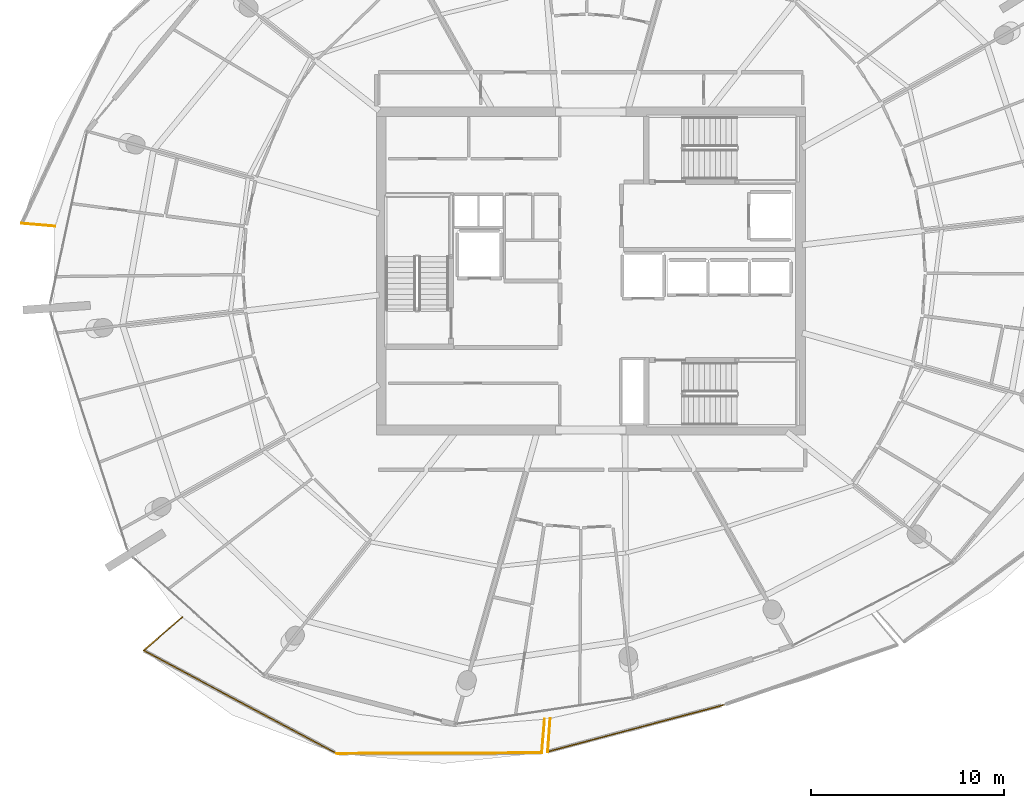
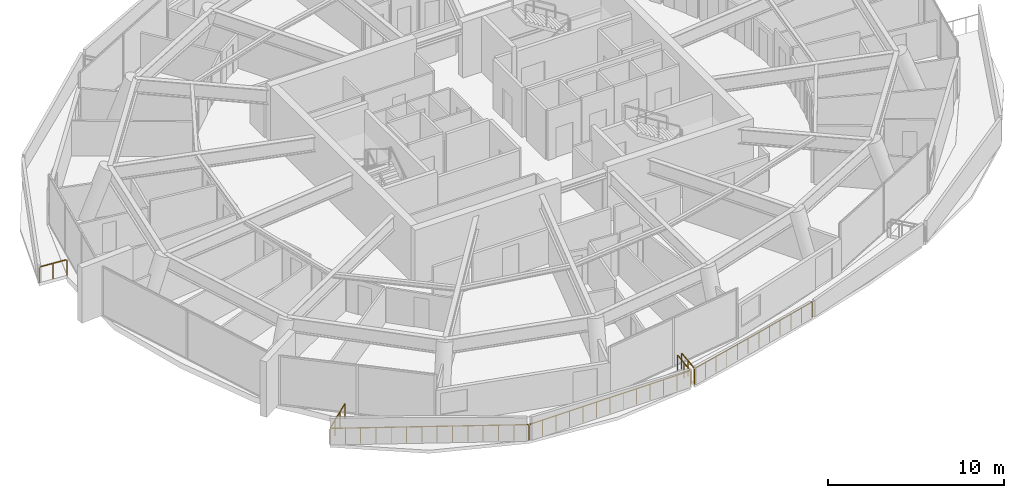
# One storey, part 20 of 24: 7 railings.
"""IFC4 building model written with IfcOpenShell, lengths in metres."""

import ifcopenshell
import ifcopenshell.guid

model = None  # the IFC model being written
_history = None  # IfcOwnerHistory: only IFC2X3 demands one
_inside = {}  # id of a spatial element -> (the spatial element, [elements in it])
_under = {}  # id of a project, library or spatial element -> (it, [spatial elements below it])
_declared = {}  # id of a project -> (the project, [libraries it declares])
_typed = {}  # id of a type object -> (the type object, [elements of that type])
_made_of = {}  # id of a material, layer set ... -> (it, [elements and type objects made of it])


def new_model(schema):
    """Start an empty IFC model of exactly this schema.

    Asked for "IFC4X3", IfcOpenShell would pick the latest addendum, in which some entities
    have other attributes; the version numbers below select the first issue.
    IFC2X3 requires an IfcOwnerHistory on every rooted entity: one is made here for all.
    """
    global model, _history
    if schema == "IFC4X3":
        model = ifcopenshell.file(schema_version=(4, 3, 0, 0))
    else:
        model = ifcopenshell.file(schema=schema)
    _inside.clear()
    _under.clear()
    _declared.clear()
    _typed.clear()
    _made_of.clear()
    _history = None
    if model.schema == "IFC2X3":
        org = make("IfcOrganization", Name="unknown")
        user = make(
            "IfcPersonAndOrganization",
            ThePerson=make("IfcPerson", FamilyName="unknown"),
            TheOrganization=org,
        )
        app = make(
            "IfcApplication",
            ApplicationDeveloper=org,
            Version="unknown",
            ApplicationFullName="unknown",
            ApplicationIdentifier="unknown",
        )
        _history = make(
            "IfcOwnerHistory",
            OwningUser=user,
            OwningApplication=app,
            ChangeAction="ADDED",
            CreationDate=0,
        )
    return model


def make(cls, **values):
    """One entity of the class cls with the attributes given. An attribute that is None is left unset."""
    return model.create_entity(
        cls, **{name: value for name, value in values.items() if value is not None}
    )


def rooted(cls, **values):
    """An entity with a GlobalId (a new one), such as an element, a storey or a relation."""
    return make(cls, GlobalId=ifcopenshell.guid.new(), OwnerHistory=_history, **values)


def si_unit(unit_type, name, prefix=None):
    """IfcSIUnit, for example si_unit("LENGTHUNIT", "METRE", prefix="MILLI")."""
    return make("IfcSIUnit", UnitType=unit_type, Prefix=prefix, Name=name)


def assignment(units):
    """IfcUnitAssignment: the units of a project."""
    return None if units is None else make("IfcUnitAssignment", Units=units)


def point(xyz):
    """IfcCartesianPoint."""
    return None if xyz is None else make("IfcCartesianPoint", Coordinates=xyz)


def direction(xyz):
    """IfcDirection."""
    return None if xyz is None else make("IfcDirection", DirectionRatios=xyz)


def frame(location, z_axis=None, x_axis=None):
    """IfcAxis2Placement3D, a coordinate frame: its origin and axes. An axis left out is left unset."""
    return make(
        "IfcAxis2Placement3D",
        Location=point(location),
        Axis=direction(z_axis),
        RefDirection=direction(x_axis),
    )


def frame_2d(location, x_axis=None):
    """IfcAxis2Placement2D, a coordinate frame in the plane: its origin and x axis."""
    return make(
        "IfcAxis2Placement2D", Location=point(location), RefDirection=direction(x_axis)
    )


def origin():
    """The frame at (0, 0, 0) with its axes left unset."""
    return frame((0.0, 0.0, 0.0))


def origin_2d():
    """The frame at (0, 0) in the plane with its x axis left unset."""
    return frame_2d((0.0, 0.0))


def place(relative_to, where):
    """IfcLocalPlacement: puts the frame where relative to a parent placement (None: the world)."""
    return make(
        "IfcLocalPlacement", PlacementRelTo=relative_to, RelativePlacement=where
    )


def context(
    kind, dimensions, precision=None, world=None, true_north=None, identifier=None
):
    """IfcGeometricRepresentationContext, for example the 3D "Model" context."""
    return make(
        "IfcGeometricRepresentationContext",
        ContextIdentifier=identifier,
        ContextType=kind,
        CoordinateSpaceDimension=dimensions,
        Precision=precision,
        WorldCoordinateSystem=world,
        TrueNorth=true_north,
    )


def subcontext(parent, identifier, kind, view, scale=None):
    """IfcGeometricRepresentationSubContext, for example "Body" below "Model"."""
    return make(
        "IfcGeometricRepresentationSubContext",
        ContextIdentifier=identifier,
        ContextType=kind,
        ParentContext=parent,
        TargetScale=scale,
        TargetView=view,
    )


def project(units=None, contexts=None):
    """IfcProject with its units and contexts."""
    return rooted(
        "IfcProject",
        Name="project",
        RepresentationContexts=contexts,
        UnitsInContext=assignment(units),
    )


def spatial(cls, under=None, at=None, **own):
    """A site, building, storey or space (cls), placed at a placement, below another one or the project."""
    s = rooted(cls, ObjectPlacement=at, **own)
    if under is not None:
        _under.setdefault(under.id(), (under, []))[1].append(s)
    return s


def profile(cls, at=None, kind="AREA", **sizes):
    """A parametric profile (cls). Its sizes go by their IFC names, for example OverallWidth=200.0."""
    return make(cls, ProfileType=kind, Position=at, **sizes)


def rectangle(**sizes):
    """IfcRectangleProfileDef."""
    return profile("IfcRectangleProfileDef", **sizes)


def extrude(swept, where, along, depth):
    """IfcExtrudedAreaSolid: the profile swept, set in the frame where, extruded along a direction by depth."""
    return make(
        "IfcExtrudedAreaSolid",
        SweptArea=swept,
        Position=where,
        ExtrudedDirection=direction(along),
        Depth=depth,
    )


def shape(context_of_items, identifier, shape_type, items):
    """IfcShapeRepresentation: the items that make up one representation, for example the "Body"."""
    return make(
        "IfcShapeRepresentation",
        ContextOfItems=context_of_items,
        RepresentationIdentifier=identifier,
        RepresentationType=shape_type,
        Items=items,
    )


def material(Name=None, Category=None):
    """IfcMaterial."""
    return make("IfcMaterial", Name=Name, Category=Category)


def made_of(thing, what):
    """Note that an element or type object is made of a material, layer set ...; save() writes the relation."""
    if what is not None:
        _made_of.setdefault(what.id(), (what, []))[1].append(thing)
    return thing


def type_object(cls, material=None, **own):
    """A type object (cls), such as IfcWallType, which elements share."""
    return made_of(rooted(cls, **own), material)


def element(
    cls,
    number,
    at=None,
    inside=None,
    cuts=None,
    type_object=None,
    material=None,
    context=None,
    identifier="Body",
    shape_type=None,
    held_by="IfcProductDefinitionShape",
    body=None,
    shapes=None,
    **own,
):
    """One element of the class cls, such as IfcWall. Its Tag is "e" and its number.

    at: its placement. inside: the storey or other place that contains it. cuts: it is an
    opening in that element (IfcRelVoidsElement). A single representation is given by context,
    identifier, shape_type and body (its items); several are given by shapes. held_by: the class
    of the entity that holds the representations. save() writes the other relations.
    """
    e = rooted(cls, Tag="e%d" % number, ObjectPlacement=at, **own)
    if body is not None:
        shapes = [shape(context, identifier, shape_type, body)]
    if shapes is not None:
        e.Representation = make(held_by, Representations=shapes)
    if inside is not None:
        _inside.setdefault(inside.id(), (inside, []))[1].append(e)
    if cuts is not None:
        rooted(
            "IfcRelVoidsElement", RelatingBuildingElement=cuts, RelatedOpeningElement=e
        )
    if type_object is not None:
        _typed.setdefault(type_object.id(), (type_object, []))[1].append(e)
    return made_of(e, material)


def aggregate(whole, parts):
    """IfcRelAggregates: a whole, such as a stair, and the parts it consists of."""
    return rooted("IfcRelAggregates", RelatingObject=whole, RelatedObjects=parts)


def save(model, path):
    """Write the relations noted so far, then the file.

    IfcRelAggregates (storeys below a building ...), IfcRelContainedInSpatialStructure (elements
    in a storey), IfcRelDefinesByType, IfcRelAssociatesMaterial and IfcRelDeclares: one each for
    every whole, place, type object, material and project.
    """
    for whole, parts in _under.values():
        aggregate(whole, parts)
    for where, things in _inside.values():
        rooted(
            "IfcRelContainedInSpatialStructure",
            RelatedElements=things,
            RelatingStructure=where,
        )
    for kind, things in _typed.values():
        rooted("IfcRelDefinesByType", RelatedObjects=things, RelatingType=kind)
    for what, things in _made_of.values():
        rooted("IfcRelAssociatesMaterial", RelatedObjects=things, RelatingMaterial=what)
    for by, libraries in _declared.values():
        rooted("IfcRelDeclares", RelatingContext=by, RelatedDefinitions=libraries)
    model.write(path)


model = new_model("IFC4")

# Units and contexts
model_context = context("Model", 3, precision=1e-05, world=origin(), true_north=direction((0.0, 1.0)))
body_context = subcontext(model_context, "Body", "Model", "MODEL_VIEW")
ifc_project = project(units=[si_unit("LENGTHUNIT", "METRE"), si_unit("AREAUNIT", "SQUARE_METRE"), si_unit("VOLUMEUNIT", "CUBIC_METRE"), si_unit("PLANEANGLEUNIT", "RADIAN"), si_unit("MASSUNIT", "GRAM", prefix="KILO")], contexts=[model_context])

# Site, building, storey
site_placement = place(None, origin())
site = spatial("IfcSite", under=ifc_project, at=site_placement, CompositionType="ELEMENT")
building_placement = place(site_placement, origin())
building = spatial("IfcBuilding", under=site, at=building_placement, Name="Kazma Halo Residences", CompositionType="ELEMENT")
storey_placement = place(building_placement, frame((0.0, 0.0, 309.85009765625)))
storey = spatial("IfcBuildingStorey", under=building, at=storey_placement, Name="L78", CompositionType="ELEMENT", Elevation=309.85009765625)

# Railings
ifc_material = material(Name="Aluminium AW-6063 T6 Brushed Cap Rail", Category="aluminium")
railing_type = type_object("IfcRailingType", Name="RLG-BAL-CAP-1120", PredefinedType="BALUSTRADE", material=ifc_material)
railing_1_placement = place(storey_placement, frame((18.8994140625, 44.46923828125, 0.0)))
element("IfcRailing", 1, at=railing_1_placement, inside=storey, type_object=railing_type, Name="L78 NW wave balcony guard 4", PredefinedType="BALUSTRADE", context=body_context, shape_type="SweptSolid", body=[
    extrude(rectangle(XDim=0.050048828125, YDim=0.050048828125, at=origin_2d()), frame((0.04248046875, -0.003662109375, 1.09521484375), z_axis=(0.996420116221, -0.08453964745, 0.0), x_axis=(0.08453964745, 0.996420116221, 0.0)), (0.0, 0.0, 1.0), 1.6591796875),
    extrude(rectangle(XDim=0.0400390625, YDim=0.0400390625, at=origin_2d()), origin(), (0.0, 0.0, 1.0), 1.05810546875),
    extrude(rectangle(XDim=0.0400390625, YDim=0.0400390625, at=origin_2d()), frame((0.869140625, -0.07373046875, 0.0)), (0.0, 0.0, 1.0), 1.05810546875),
    extrude(rectangle(XDim=0.0400390625, YDim=0.0400390625, at=origin_2d()), frame((1.738037109375, -0.1474609375, 0.0)), (0.0, 0.0, 1.0), 1.05810546875),
])
railing_2_placement = place(storey_placement, frame((27.22802734375, 24.038330078125, 0.0)))
element("IfcRailing", 2, at=railing_2_placement, inside=storey, type_object=railing_type, Name="L78 SW wave balcony guard 1", PredefinedType="BALUSTRADE", context=body_context, shape_type="SweptSolid", body=[
    extrude(rectangle(XDim=0.050048828125, YDim=0.050048828125, at=origin_2d()), frame((-0.0322265625, -0.02783203125, 1.09521484375), z_axis=(-0.75642132367, -0.654084689545, 0.0), x_axis=(0.654084689545, -0.75642132367, 0.0)), (0.0, 0.0, 1.0), 2.553466796875),
    extrude(rectangle(XDim=0.0400390625, YDim=0.0400390625, at=origin_2d()), origin(), (0.0, 0.0, 1.0), 1.05810546875),
    extrude(rectangle(XDim=0.0400390625, YDim=0.0400390625, at=origin_2d()), frame((-0.665283203125, -0.5751953125, 0.0)), (0.0, 0.0, 1.0), 1.05810546875),
    extrude(rectangle(XDim=0.0400390625, YDim=0.0400390625, at=origin_2d()), frame((-1.33056640625, -1.150634765625, 0.0)), (0.0, 0.0, 1.0), 1.05810546875),
    extrude(rectangle(XDim=0.0400390625, YDim=0.0400390625, at=origin_2d()), frame((-1.995849609375, -1.725830078125, 0.0)), (0.0, 0.0, 1.0), 1.05810546875),
])
railing_3_placement = place(storey_placement, frame((25.232177734375, 22.3125, 0.0)))
element("IfcRailing", 3, at=railing_3_placement, inside=storey, type_object=railing_type, Name="L78 SW wave balcony guard 2", PredefinedType="BALUSTRADE", context=body_context, shape_type="SweptSolid", body=[
    extrude(rectangle(XDim=0.050048828125, YDim=0.050048828125, at=origin_2d()), frame((0.03759765625, -0.02001953125, 1.09521484375), z_axis=(0.882184382318, -0.470904146928, 0.0), x_axis=(0.470904146928, 0.882184382318, 0.0)), (0.0, 0.0, 1.0), 11.265380859375),
    extrude(rectangle(XDim=0.0400390625, YDim=0.0400390625, at=origin_2d()), origin(), (0.0, 0.0, 1.0), 1.05810546875),
    extrude(rectangle(XDim=0.0400390625, YDim=0.0400390625, at=origin_2d()), frame((0.770263671875, -0.4111328125, 0.0)), (0.0, 0.0, 1.0), 1.05810546875),
    extrude(rectangle(XDim=0.0400390625, YDim=0.0400390625, at=origin_2d()), frame((1.54052734375, -0.822265625, 0.0)), (0.0, 0.0, 1.0), 1.05810546875),
    extrude(rectangle(XDim=0.0400390625, YDim=0.0400390625, at=origin_2d()), frame((2.310791015625, -1.2333984375, 0.0)), (0.0, 0.0, 1.0), 1.05810546875),
    extrude(rectangle(XDim=0.0400390625, YDim=0.0400390625, at=origin_2d()), frame((3.0810546875, -1.64453125, 0.0)), (0.0, 0.0, 1.0), 1.05810546875),
    extrude(rectangle(XDim=0.0400390625, YDim=0.0400390625, at=origin_2d()), frame((3.851318359375, -2.0556640625, 0.0)), (0.0, 0.0, 1.0), 1.05810546875),
    extrude(rectangle(XDim=0.0400390625, YDim=0.0400390625, at=origin_2d()), frame((4.62158203125, -2.466796875, 0.0)), (0.0, 0.0, 1.0), 1.05810546875),
    extrude(rectangle(XDim=0.0400390625, YDim=0.0400390625, at=origin_2d()), frame((5.3916015625, -2.878173828125, 0.0)), (0.0, 0.0, 1.0), 1.05810546875),
    extrude(rectangle(XDim=0.0400390625, YDim=0.0400390625, at=origin_2d()), frame((6.161865234375, -3.289306640625, 0.0)), (0.0, 0.0, 1.0), 1.05810546875),
    extrude(rectangle(XDim=0.0400390625, YDim=0.0400390625, at=origin_2d()), frame((6.93212890625, -3.700439453125, 0.0)), (0.0, 0.0, 1.0), 1.05810546875),
    extrude(rectangle(XDim=0.0400390625, YDim=0.0400390625, at=origin_2d()), frame((7.702392578125, -4.111572265625, 0.0)), (0.0, 0.0, 1.0), 1.05810546875),
    extrude(rectangle(XDim=0.0400390625, YDim=0.0400390625, at=origin_2d()), frame((8.47265625, -4.522705078125, 0.0)), (0.0, 0.0, 1.0), 1.05810546875),
    extrude(rectangle(XDim=0.0400390625, YDim=0.0400390625, at=origin_2d()), frame((9.242919921875, -4.933837890625, 0.0)), (0.0, 0.0, 1.0), 1.05810546875),
    extrude(rectangle(XDim=0.0400390625, YDim=0.0400390625, at=origin_2d()), frame((10.01318359375, -5.344970703125, 0.0)), (0.0, 0.0, 1.0), 1.05810546875),
])
railing_4_placement = place(storey_placement, frame((35.245361328125, 16.967529296875, 0.0)))
element("IfcRailing", 4, at=railing_4_placement, inside=storey, type_object=railing_type, Name="L78 SW wave balcony guard 3", PredefinedType="BALUSTRADE", context=body_context, shape_type="SweptSolid", body=[
    extrude(rectangle(XDim=0.050048828125, YDim=0.050048828125, at=origin_2d()), frame((0.04248046875, 0.000244140625, 1.09521484375), z_axis=(0.999994381815, 0.00335206474, 0.0), x_axis=(-0.00335206474, 0.999994381815, 0.0)), (0.0, 0.0, 1.0), 10.548583984375),
    extrude(rectangle(XDim=0.0400390625, YDim=0.0400390625, at=origin_2d()), origin(), (0.0, 0.0, 1.0), 1.05810546875),
    extrude(rectangle(XDim=0.0400390625, YDim=0.0400390625, at=origin_2d()), frame((0.88623046875, 0.0029296875, 0.0)), (0.0, 0.0, 1.0), 1.05810546875),
    extrude(rectangle(XDim=0.0400390625, YDim=0.0400390625, at=origin_2d()), frame((1.772216796875, 0.005859375, 0.0)), (0.0, 0.0, 1.0), 1.05810546875),
    extrude(rectangle(XDim=0.0400390625, YDim=0.0400390625, at=origin_2d()), frame((2.658447265625, 0.0087890625, 0.0)), (0.0, 0.0, 1.0), 1.05810546875),
    extrude(rectangle(XDim=0.0400390625, YDim=0.0400390625, at=origin_2d()), frame((3.54443359375, 0.011962890625, 0.0)), (0.0, 0.0, 1.0), 1.05810546875),
    extrude(rectangle(XDim=0.0400390625, YDim=0.0400390625, at=origin_2d()), frame((4.4306640625, 0.014892578125, 0.0)), (0.0, 0.0, 1.0), 1.05810546875),
    extrude(rectangle(XDim=0.0400390625, YDim=0.0400390625, at=origin_2d()), frame((5.31689453125, 0.017822265625, 0.0)), (0.0, 0.0, 1.0), 1.05810546875),
    extrude(rectangle(XDim=0.0400390625, YDim=0.0400390625, at=origin_2d()), frame((6.202880859375, 0.020751953125, 0.0)), (0.0, 0.0, 1.0), 1.05810546875),
    extrude(rectangle(XDim=0.0400390625, YDim=0.0400390625, at=origin_2d()), frame((7.089111328125, 0.023681640625, 0.0)), (0.0, 0.0, 1.0), 1.05810546875),
    extrude(rectangle(XDim=0.0400390625, YDim=0.0400390625, at=origin_2d()), frame((7.97509765625, 0.02685546875, 0.0)), (0.0, 0.0, 1.0), 1.05810546875),
    extrude(rectangle(XDim=0.0400390625, YDim=0.0400390625, at=origin_2d()), frame((8.861328125, 0.02978515625, 0.0)), (0.0, 0.0, 1.0), 1.05810546875),
    extrude(rectangle(XDim=0.0400390625, YDim=0.0400390625, at=origin_2d()), frame((9.747314453125, 0.03271484375, 0.0)), (0.0, 0.0, 1.0), 1.05810546875),
    extrude(rectangle(XDim=0.0400390625, YDim=0.0400390625, at=origin_2d()), frame((10.633544921875, 0.03564453125, 0.0)), (0.0, 0.0, 1.0), 1.05810546875),
])
railing_5_placement = place(storey_placement, frame((45.87890625, 17.003173828125, 0.0)))
element("IfcRailing", 5, at=railing_5_placement, inside=storey, type_object=railing_type, Name="L78 SW wave balcony guard 4", PredefinedType="BALUSTRADE", context=body_context, shape_type="SweptSolid", body=[
    extrude(rectangle(XDim=0.050048828125, YDim=0.050048828125, at=origin_2d()), frame((0.003662109375, 0.04248046875, 1.09521484375), z_axis=(0.084640510434, 0.996411553523, 0.0), x_axis=(-0.996411553523, 0.084640510434, 0.0)), (0.0, 0.0, 1.0), 1.662841796875),
    extrude(rectangle(XDim=0.0400390625, YDim=0.0400390625, at=origin_2d()), origin(), (0.0, 0.0, 1.0), 1.05810546875),
    extrude(rectangle(XDim=0.0400390625, YDim=0.0400390625, at=origin_2d()), frame((0.073974609375, 0.870849609375, 0.0)), (0.0, 0.0, 1.0), 1.05810546875),
    extrude(rectangle(XDim=0.0400390625, YDim=0.0400390625, at=origin_2d()), frame((0.14794921875, 1.74169921875, 0.0)), (0.0, 0.0, 1.0), 1.05810546875),
])
railing_6_placement = place(storey_placement, frame((46.31591796875, 18.7880859375, 0.0)))
element("IfcRailing", 6, at=railing_6_placement, inside=storey, type_object=railing_type, Name="L78 SSE wave balcony guard 1", PredefinedType="BALUSTRADE", context=body_context, shape_type="SweptSolid", body=[
    extrude(rectangle(XDim=0.050048828125, YDim=0.050048828125, at=origin_2d()), frame((-0.003173828125, -0.04248046875, 1.09521484375), z_axis=(-0.072390221582, -0.997376386235, 0.0), x_axis=(0.997376386235, -0.072390221582, 0.0)), (0.0, 0.0, 1.0), 1.64501953125),
    extrude(rectangle(XDim=0.0400390625, YDim=0.0400390625, at=origin_2d()), origin(), (0.0, 0.0, 1.0), 1.05810546875),
    extrude(rectangle(XDim=0.0400390625, YDim=0.0400390625, at=origin_2d()), frame((-0.0625, -0.86279296875, 0.0)), (0.0, 0.0, 1.0), 1.05810546875),
    extrude(rectangle(XDim=0.0400390625, YDim=0.0400390625, at=origin_2d()), frame((-0.125244140625, -1.7255859375, 0.0)), (0.0, 0.0, 1.0), 1.05810546875),
])
railing_7_placement = place(storey_placement, frame((46.190673828125, 17.0625, 0.0)))
element("IfcRailing", 7, at=railing_7_placement, inside=storey, type_object=railing_type, Name="L78 SSE wave balcony guard 2", PredefinedType="BALUSTRADE", context=body_context, shape_type="SweptSolid", body=[
    extrude(rectangle(XDim=0.050048828125, YDim=0.050048828125, at=origin_2d()), frame((0.041015625, 0.010986328125, 1.09521484375), z_axis=(0.966530025942, 0.256553520638, 0.0), x_axis=(-0.256553520638, 0.966530025942, 0.0)), (0.0, 0.0, 1.0), 9.35595703125),
    extrude(rectangle(XDim=0.0400390625, YDim=0.0400390625, at=origin_2d()), origin(), (0.0, 0.0, 1.0), 1.05810546875),
    extrude(rectangle(XDim=0.0400390625, YDim=0.0400390625, at=origin_2d()), frame((0.82958984375, 0.22021484375, 0.0)), (0.0, 0.0, 1.0), 1.05810546875),
    extrude(rectangle(XDim=0.0400390625, YDim=0.0400390625, at=origin_2d()), frame((1.6591796875, 0.4404296875, 0.0)), (0.0, 0.0, 1.0), 1.05810546875),
    extrude(rectangle(XDim=0.0400390625, YDim=0.0400390625, at=origin_2d()), frame((2.488525390625, 0.66064453125, 0.0)), (0.0, 0.0, 1.0), 1.05810546875),
    extrude(rectangle(XDim=0.0400390625, YDim=0.0400390625, at=origin_2d()), frame((3.318115234375, 0.880859375, 0.0)), (0.0, 0.0, 1.0), 1.05810546875),
    extrude(rectangle(XDim=0.0400390625, YDim=0.0400390625, at=origin_2d()), frame((4.147705078125, 1.10107421875, 0.0)), (0.0, 0.0, 1.0), 1.05810546875),
    extrude(rectangle(XDim=0.0400390625, YDim=0.0400390625, at=origin_2d()), frame((4.977294921875, 1.321044921875, 0.0)), (0.0, 0.0, 1.0), 1.05810546875),
    extrude(rectangle(XDim=0.0400390625, YDim=0.0400390625, at=origin_2d()), frame((5.806884765625, 1.541259765625, 0.0)), (0.0, 0.0, 1.0), 1.05810546875),
    extrude(rectangle(XDim=0.0400390625, YDim=0.0400390625, at=origin_2d()), frame((6.636474609375, 1.761474609375, 0.0)), (0.0, 0.0, 1.0), 1.05810546875),
    extrude(rectangle(XDim=0.0400390625, YDim=0.0400390625, at=origin_2d()), frame((7.4658203125, 1.981689453125, 0.0)), (0.0, 0.0, 1.0), 1.05810546875),
    extrude(rectangle(XDim=0.0400390625, YDim=0.0400390625, at=origin_2d()), frame((8.29541015625, 2.201904296875, 0.0)), (0.0, 0.0, 1.0), 1.05810546875),
    extrude(rectangle(XDim=0.0400390625, YDim=0.0400390625, at=origin_2d()), frame((9.125, 2.422119140625, 0.0)), (0.0, 0.0, 1.0), 1.05810546875),
])

save(model, "model.ifc")
